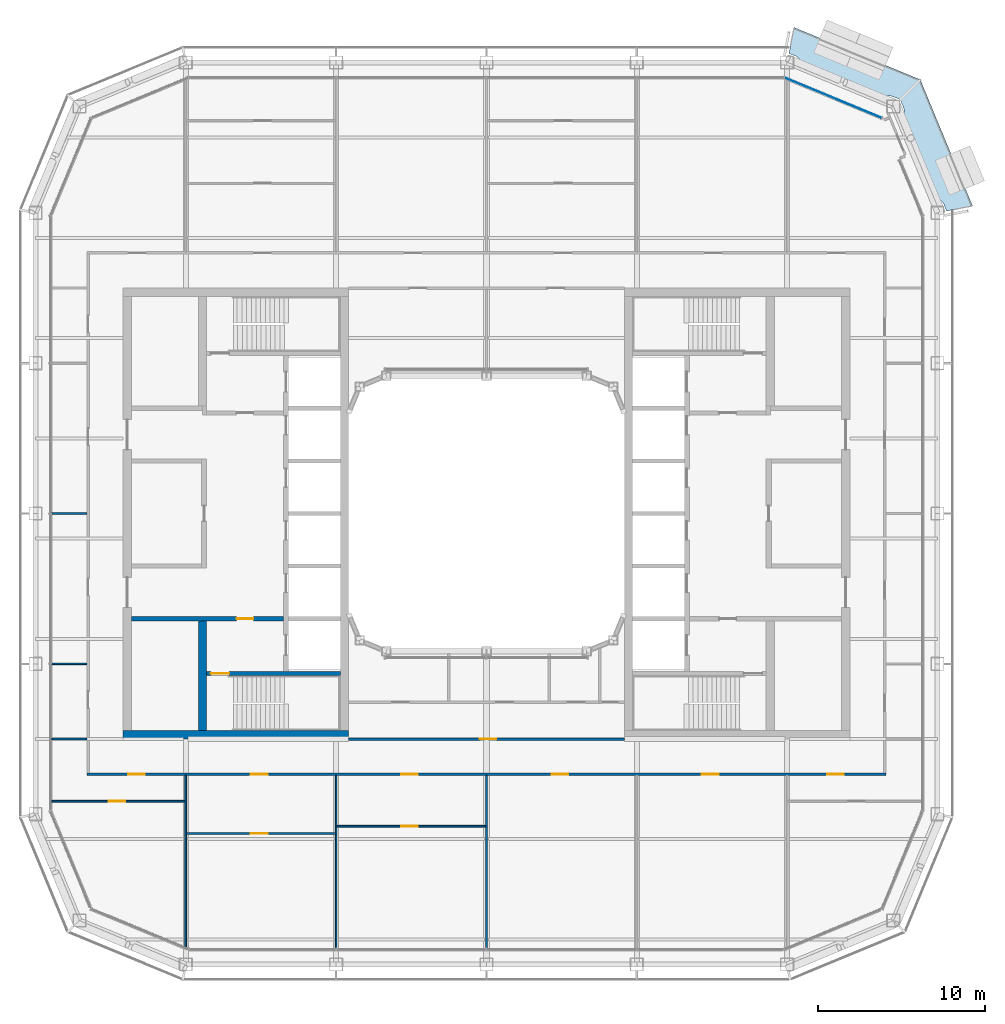
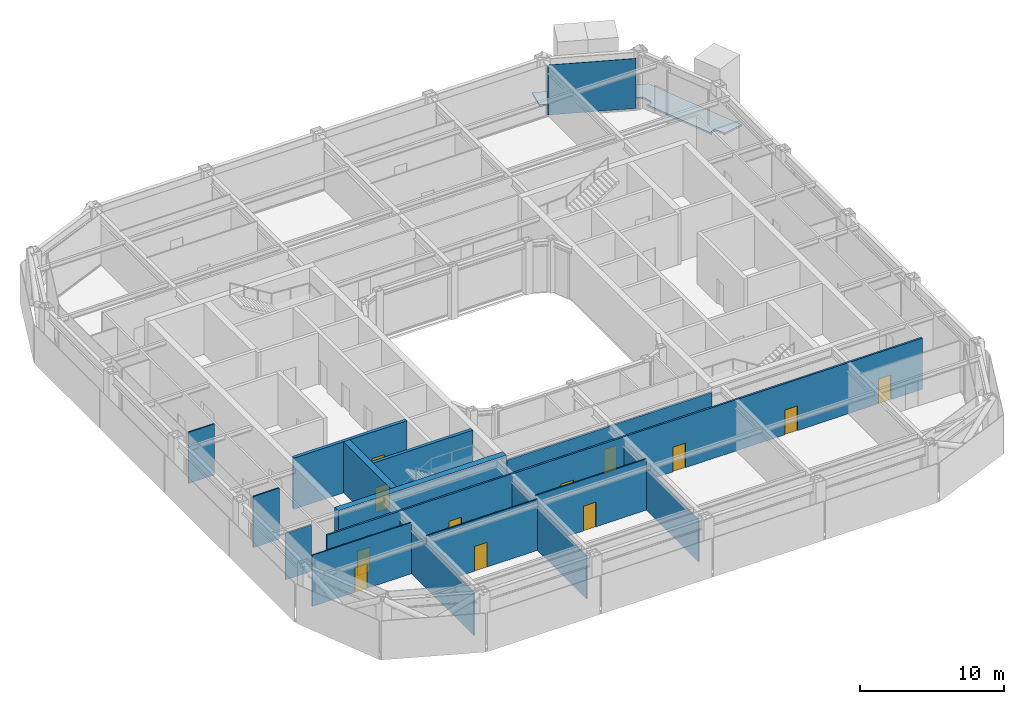
# One storey, part 12 of 23: 15 walls, 12 doors, 1 plate, 1 slab, 12 openings, 1 element without a shape of its own.
"""IFC4 building model written with IfcOpenShell, lengths in metres."""

from ifc_helpers import new_model, si_unit, direction, frame, frame_2d, origin, origin_2d, place, context, subcontext, project, spatial, polyline, rectangle, outline, extrude, material, layer, layer_set, type_object, element, fill, aggregate, save


model = new_model("IFC4")

# Units and contexts
model_context = context("Model", 3, precision=1e-05, world=origin(), true_north=direction((0.0, 1.0)))
body_context = subcontext(model_context, "Body", "Model", "MODEL_VIEW")
ifc_project = project(units=[si_unit("LENGTHUNIT", "METRE"), si_unit("AREAUNIT", "SQUARE_METRE"), si_unit("VOLUMEUNIT", "CUBIC_METRE"), si_unit("PLANEANGLEUNIT", "RADIAN"), si_unit("MASSUNIT", "GRAM", prefix="KILO")], contexts=[model_context])

# Site, building, storey
site_placement = place(None, origin())
site = spatial("IfcSite", under=ifc_project, at=site_placement, CompositionType="ELEMENT")
building_placement = place(site_placement, origin())
building = spatial("IfcBuilding", under=site, at=building_placement, Name="Siwar Civic Tower", CompositionType="ELEMENT")
storey_placement = place(building_placement, frame((0.0, 0.0, 242.199951171875)))
storey = spatial("IfcBuildingStorey", under=building, at=storey_placement, Name="L52", CompositionType="ELEMENT", Elevation=242.199951171875)

# Slab
ifc_material_1 = material(Name="Concrete C40/50", Category="concrete")
ifc_layer_1 = layer(ifc_material_1, 0.14990234375)
ifc_layer_set_1 = layer_set([ifc_layer_1], Name="Concrete C40/50")
slab_type = type_object("IfcSlabType", Name="ENV-BALCONY DECK 150", PredefinedType="FLOOR", material=ifc_layer_set_1)
slab_placement = place(storey_placement, frame((0.0, 0.0, -0.1494140625)))
element("IfcSlab", 1, at=slab_placement, inside=storey, type_object=slab_type, Name="Tree balcony deck NE", PredefinedType="FLOOR", context=body_context, shape_type="SweptSolid", body=[
    extrude(outline(polyline([(24.82080078125, 24.657470703125), (24.82080078125, 24.657470703125), (24.82421875, 24.649658203125), (24.924560546875, 24.40869140625), (24.94384765625, 24.362060546875), (24.94482421875, 24.35986328125), (24.96533203125, 24.305419921875), (24.967041015625, 24.300537109375), (24.98388671875, 24.244873046875), (24.985595703125, 24.238037109375), (24.99560546875, 24.189208984375), (24.99658203125, 24.183837890625), (25.002685546875, 24.13427734375), (25.003173828125, 24.12890625), (25.006103515625, 24.0791015625), (25.006103515625, 24.073974609375), (25.005615234375, 24.024169921875), (25.00537109375, 24.0185546875), (25.004638671875, 24.0126953125), (24.99755859375, 23.970947265625), (24.995849609375, 23.96337890625), (24.993408203125, 23.9560546875), (24.98046875, 23.922607421875), (24.978271484375, 23.91748046875), (24.962646484375, 23.88525390625), (24.96044921875, 23.880615234375), (24.942626953125, 23.849365234375), (24.93896484375, 23.84326171875), (24.9345703125, 23.837646484375), (24.9296875, 23.83251953125), (24.906982421875, 23.810546875), (24.900634765625, 23.804931640625), (24.8935546875, 23.80029296875), (24.885986328125, 23.796142578125), (24.85888671875, 23.78369140625), (24.85400390625, 23.78173828125), (24.826171875, 23.771240234375), (24.818115234375, 23.768798828125), (24.8095703125, 23.76708984375), (24.80126953125, 23.7666015625), (24.769775390625, 23.765869140625), (24.762451171875, 23.76611328125), (24.75537109375, 23.766845703125), (24.74853515625, 23.7685546875), (24.7138671875, 23.77783203125), (24.708984375, 23.779541015625), (24.675048828125, 23.791259765625), (24.669921875, 23.793212890625), (24.636962890625, 23.8076171875), (24.630126953125, 23.81103515625), (24.62353515625, 23.815185546875), (24.5888671875, 23.839599609375), (24.58447265625, 23.84326171875), (24.580078125, 23.846923828125), (24.57666015625, 23.85009765625), (26.77978515625, 18.531494140625), (26.7802734375, 18.5654296875), (26.780517578125, 18.5712890625), (26.78125, 18.576904296875), (26.788330078125, 18.61865234375), (26.789794921875, 18.626220703125), (26.792236328125, 18.633544921875), (26.805419921875, 18.6669921875), (26.8076171875, 18.672119140625), (26.822998046875, 18.70458984375), (26.825439453125, 18.709228515625), (26.84326171875, 18.740234375), (26.846923828125, 18.746337890625), (26.851318359375, 18.751953125), (26.856201171875, 18.75732421875), (26.87890625, 18.779052734375), (26.88525390625, 18.78466796875), (26.892333984375, 18.78955078125), (26.899658203125, 18.79345703125), (26.927001953125, 18.805908203125), (26.931884765625, 18.80810546875), (26.959716796875, 18.818603515625), (26.9677734375, 18.821044921875), (26.97607421875, 18.82275390625), (26.984619140625, 18.8232421875), (27.01611328125, 18.823974609375), (27.023193359375, 18.82373046875), (27.0302734375, 18.82275390625), (27.037353515625, 18.8212890625), (27.072021484375, 18.811767578125), (27.076904296875, 18.810302734375), (27.11083984375, 18.79833984375), (27.115966796875, 18.79638671875), (27.14892578125, 18.7822265625), (27.15576171875, 18.77880859375), (27.162353515625, 18.774658203125), (27.197021484375, 18.75), (27.201416015625, 18.74658203125), (27.205810546875, 18.74267578125), (27.241455078125, 18.7080078125), (27.2451171875, 18.704345703125), (27.278564453125, 18.667236328125), (27.281982421875, 18.663330078125), (27.312744140625, 18.623779296875), (27.31591796875, 18.619384765625), (27.343505859375, 18.577880859375), (27.34716796875, 18.57177734375), (27.374755859375, 18.520751953125), (27.377197265625, 18.51611328125), (27.4013671875, 18.463134765625), (27.40234375, 18.4609375), (27.405517578125, 18.453125), (27.425048828125, 18.406494140625), (27.522216796875, 18.17333984375), (27.525390625, 18.16552734375), (27.525390625, 18.16552734375), (27.52783203125, 18.15869140625), (27.533935546875, 18.13916015625), (27.53564453125, 18.13232421875), (27.53662109375, 18.12548828125), (27.538818359375, 18.107177734375), (29.10009765625, 18.417724609375), (25.97119140625, 25.97119140625), (18.417724609375, 29.10009765625), (18.106689453125, 27.5361328125), (18.107421875, 27.5361328125), (18.1240234375, 27.535400390625), (18.1328125, 27.53466796875), (18.141357421875, 27.53271484375), (18.156982421875, 27.5283203125), (18.16552734375, 27.525390625), (18.170166015625, 27.5234375), (18.17333984375, 27.522216796875), (18.18896484375, 27.515625), (18.227783203125, 27.49951171875), (18.240234375, 27.494140625), (18.406494140625, 27.425048828125), (18.453125, 27.405517578125), (18.4609375, 27.40234375), (18.463134765625, 27.4013671875), (18.51611328125, 27.377197265625), (18.520751953125, 27.374755859375), (18.57177734375, 27.34716796875), (18.577880859375, 27.343505859375), (18.619384765625, 27.31591796875), (18.623779296875, 27.312744140625), (18.663330078125, 27.281982421875), (18.667236328125, 27.278564453125), (18.704345703125, 27.2451171875), (18.7080078125, 27.241455078125), (18.74267578125, 27.205810546875), (18.74658203125, 27.201416015625), (18.75, 27.197021484375), (18.774658203125, 27.162353515625), (18.77880859375, 27.15576171875), (18.7822265625, 27.14892578125), (18.79638671875, 27.115966796875), (18.79833984375, 27.11083984375), (18.810302734375, 27.076904296875), (18.811767578125, 27.072021484375), (18.8212890625, 27.037353515625), (18.82275390625, 27.0302734375), (18.82373046875, 27.023193359375), (18.823974609375, 27.01611328125), (18.8232421875, 26.984619140625), (18.82275390625, 26.97607421875), (18.821044921875, 26.9677734375), (18.818603515625, 26.959716796875), (18.80810546875, 26.931884765625), (18.805908203125, 26.927001953125), (18.79345703125, 26.899658203125), (18.78955078125, 26.892333984375), (18.78466796875, 26.88525390625), (18.779052734375, 26.87890625), (18.75732421875, 26.856201171875), (18.751953125, 26.851318359375), (18.746337890625, 26.846923828125), (18.740234375, 26.84326171875), (18.709228515625, 26.825439453125), (18.70458984375, 26.822998046875), (18.672119140625, 26.8076171875), (18.6669921875, 26.805419921875), (18.633544921875, 26.792236328125), (18.626220703125, 26.789794921875), (18.61865234375, 26.788330078125), (18.576904296875, 26.78125), (18.5712890625, 26.780517578125), (18.5654296875, 26.7802734375), (18.531494140625, 26.77978515625), (23.85009765625, 24.57666015625), (23.846923828125, 24.580078125), (23.84326171875, 24.58447265625), (23.839599609375, 24.5888671875), (23.815185546875, 24.62353515625), (23.81103515625, 24.630126953125), (23.8076171875, 24.636962890625), (23.793212890625, 24.669921875), (23.791259765625, 24.675048828125), (23.779541015625, 24.708984375), (23.77783203125, 24.7138671875), (23.7685546875, 24.74853515625), (23.766845703125, 24.75537109375), (23.76611328125, 24.762451171875), (23.765869140625, 24.769775390625), (23.7666015625, 24.80126953125), (23.76708984375, 24.8095703125), (23.768798828125, 24.818115234375), (23.771240234375, 24.826171875), (23.78173828125, 24.85400390625), (23.78369140625, 24.85888671875), (23.796142578125, 24.885986328125), (23.80029296875, 24.8935546875), (23.804931640625, 24.900634765625), (23.810546875, 24.906982421875), (23.83251953125, 24.9296875), (23.837646484375, 24.9345703125), (23.84326171875, 24.93896484375), (23.849365234375, 24.942626953125), (23.880615234375, 24.96044921875), (23.88525390625, 24.962646484375), (23.91748046875, 24.978271484375), (23.922607421875, 24.98046875), (23.9560546875, 24.993408203125), (23.96337890625, 24.995849609375), (23.970947265625, 24.99755859375), (24.0126953125, 25.004638671875), (24.0185546875, 25.00537109375), (24.024169921875, 25.005615234375), (24.073974609375, 25.006103515625), (24.0791015625, 25.006103515625), (24.12890625, 25.003173828125), (24.13427734375, 25.002685546875), (24.183837890625, 24.99658203125), (24.189208984375, 24.99560546875), (24.238037109375, 24.985595703125), (24.244873046875, 24.98388671875), (24.300537109375, 24.967041015625), (24.305419921875, 24.96533203125), (24.35986328125, 24.94482421875), (24.362060546875, 24.94384765625), (24.40869140625, 24.924560546875), (24.649658203125, 24.82421875), (24.657470703125, 24.82080078125), (24.66552734375, 24.81689453125), (24.6796875, 24.808837890625), (24.68701171875, 24.80419921875), (24.693603515625, 24.798583984375), (24.7060546875, 24.787109375), (24.71142578125, 24.78173828125), (24.71142578125, 24.78173828125), (24.71142578125, 24.781494140625), (24.712158203125, 24.78076171875), (24.718505859375, 24.77783203125), (24.724853515625, 24.774169921875), (24.730712890625, 24.77001953125), (24.73828125, 24.763916015625), (24.763916015625, 24.763916015625), (24.763916015625, 24.741455078125), (24.778564453125, 24.72607421875), (24.785400390625, 24.7177734375), (24.801025390625, 24.695556640625), (24.806640625, 24.686279296875), (24.818603515625, 24.662353515625), (24.82080078125, 24.657470703125), (24.82080078125, 24.657470703125), (24.82080078125, 24.657470703125), (24.82080078125, 24.657470703125)])), origin(), (0.0, 0.0, 1.0), 0.1494140625),
])

# Curtain wall, plate
ifc_material_2 = material(Name="Aluminium clad insulated panel", Category="aluminium")
ifc_layer_2 = layer(ifc_material_2, 0.179931640625)
ifc_layer_set_2 = layer_set([ifc_layer_2], Name="Aluminium clad insulated panel")
curtain_wall_type = type_object("IfcCurtainWallType", Name="ENV-CW-CX", PredefinedType="NOTDEFINED", material=ifc_layer_set_2)
curtain_wall_placement = place(storey_placement, origin())
curtain_wall = element("IfcCurtainWall", 2, at=curtain_wall_placement, inside=storey, type_object=curtain_wall_type, Name="Curtain wall C NE2", PredefinedType="NOTDEFINED")
ifc_material_3 = material(Name="Aluminium clad insulated panel", Category="aluminium")
ifc_layer_3 = layer(ifc_material_3, 0.031982421875)
ifc_layer_set_3 = layer_set([ifc_layer_3], Name="Aluminium clad insulated panel")
plate_type = type_object("IfcPlateType", Name="ENV-PANEL-CX", PredefinedType="CURTAIN_PANEL", material=ifc_layer_set_3)
plate_placement = place(storey_placement, frame((20.78271484375, 24.873291015625, 0.10009765625), z_axis=(0.0, 0.0, 1.0), x_axis=(-0.923879532511, 0.382683432365, 0.0)))
plate = element("IfcPlate", 3, at=plate_placement, type_object=plate_type, Name="Curtain panel C NE2 1", PredefinedType="CURTAIN_PANEL", context=body_context, shape_type="SweptSolid", body=[
    extrude(rectangle(XDim=6.20166015625, YDim=0.031982421875, at=origin_2d()), origin(), (0.0, 0.0, 1.0), 4.25),
])
aggregate(curtain_wall, [plate])

# Wall, opening, door
ifc_material_4 = material(Name="Concrete C60/75", Category="concrete")
ifc_layer_4 = layer(ifc_material_4, 0.25)
ifc_layer_set_4 = layer_set([ifc_layer_4], Name="Concrete C60/75")
wall_type_1 = type_object("IfcWallType", Name="CORE-WALL-RC250", PredefinedType="SHEAR", material=ifc_layer_set_4)
wall_1_placement = place(storey_placement, frame((-12.14990234375, -6.300048828125, 0.0), z_axis=(0.0, 0.0, 1.0), x_axis=(-1.0, 0.0, 0.0)))
wall_1 = element("IfcWall", 4, at=wall_1_placement, inside=storey, type_object=wall_type_1, Name="Core wall W", PredefinedType="SHEAR", context=body_context, shape_type="SweptSolid", body=[
    extrude(rectangle(XDim=9.10009765625, YDim=0.25, at=frame_2d((4.550048828125, 0.0))), origin(), (0.0, 0.0, 1.0), 4.35009765625),
])
opening_1_placement = place(wall_1_placement, frame((1.800048828125, 0.0, 0.0)))
opening_1 = element("IfcOpeningElement", 5, at=opening_1_placement, cuts=wall_1, Name="Opening L52-CW02", PredefinedType="OPENING", context=body_context, shape_type="SweptSolid", body=[
    extrude(rectangle(XDim=1.0, YDim=2.10009765625, at=frame_2d((0.5, 1.050048828125))), frame((0.0, 0.135009765625, 0.0), z_axis=(0.0, -1.0, 0.0), x_axis=(1.0, 0.0, 0.0)), (0.0, 0.0, 1.0), 0.27001953125),
])
ifc_material_5 = material(Name="Steel door leaf", Category="steel")
door_type_1 = type_object("IfcDoorType", Name="CORE-DOOR-FD30S", OperationType="SINGLE_SWING_LEFT", PredefinedType="DOOR", material=ifc_material_5)
door_1_placement = place(opening_1_placement, origin())
door_1 = element("IfcDoor", 6, at=door_1_placement, inside=storey, type_object=door_type_1, Name="Service lobby door L52-CW02", OperationType="SINGLE_SWING_RIGHT", OverallHeight=2.10009765625, OverallWidth=1.0, PredefinedType="DOOR", context=body_context, shape_type="SweptSolid", body=[
    extrude(rectangle(XDim=1.0, YDim=2.10009765625, at=frame_2d((0.5, 1.050048828125))), frame((0.0, 0.02490234375, 0.0), z_axis=(0.0, -1.0, 0.0), x_axis=(1.0, 0.0, 0.0)), (0.0, 0.0, 1.0), 0.050048828125),
])
fill(opening_1, door_1)

wall_2_placement = place(storey_placement, frame((-8.75, -9.574951171875, 0.0), z_axis=(0.0, 0.0, 1.0), x_axis=(-1.0, 0.0, 0.0)))
wall_2 = element("IfcWall", 7, at=wall_2_placement, inside=storey, type_object=wall_type_1, Name="Core wall W", PredefinedType="SHEAR", context=body_context, shape_type="SweptSolid", body=[
    extrude(rectangle(XDim=8.0, YDim=0.25, at=frame_2d((4.0, 0.0))), origin(), (0.0, 0.0, 1.0), 4.35009765625),
])
opening_2_placement = place(wall_2_placement, frame((6.64990234375, 0.0, 0.0)))
opening_2 = element("IfcOpeningElement", 8, at=opening_2_placement, cuts=wall_2, Name="Opening L52-CW04", PredefinedType="OPENING", context=body_context, shape_type="SweptSolid", body=[
    extrude(rectangle(XDim=1.10009765625, YDim=2.10009765625, at=frame_2d((0.550048828125, 1.050048828125))), frame((0.0, 0.135009765625, 0.0), z_axis=(0.0, -1.0, 0.0), x_axis=(1.0, 0.0, 0.0)), (0.0, 0.0, 1.0), 0.27001953125),
])
ifc_material_6 = material(Name="Steel door leaf", Category="steel")
door_type_2 = type_object("IfcDoorType", Name="CORE-DOOR-FD60S", OperationType="SINGLE_SWING_LEFT", PredefinedType="DOOR", material=ifc_material_6)
door_2_placement = place(opening_2_placement, origin())
door_2 = element("IfcDoor", 9, at=door_2_placement, inside=storey, type_object=door_type_2, Name="Stair door L52-CW04", OperationType="SINGLE_SWING_LEFT", OverallHeight=2.10009765625, OverallWidth=1.10009765625, PredefinedType="DOOR", context=body_context, shape_type="SweptSolid", body=[
    extrude(rectangle(XDim=1.10009765625, YDim=2.10009765625, at=frame_2d((0.550048828125, 1.050048828125))), frame((0.0, 0.02490234375, 0.0), z_axis=(0.0, -1.0, 0.0), x_axis=(1.0, 0.0, 0.0)), (0.0, 0.0, 1.0), 0.050048828125),
])
fill(opening_2, door_2)

# Walls
ifc_material_7 = material(Name="Concrete C60/75", Category="concrete")
ifc_layer_5 = layer(ifc_material_7, 0.5)
ifc_layer_set_5 = layer_set([ifc_layer_5], Name="Concrete C60/75")
wall_type_2 = type_object("IfcWallType", Name="CORE-WALL-RC500", PredefinedType="SHEAR", material=ifc_layer_set_5)
wall_3_placement = place(storey_placement, frame((-17.0, -13.0, 0.0), z_axis=(0.0, 0.0, 1.0), x_axis=(0.0, 1.0, 0.0)))
element("IfcWall", 10, at=wall_3_placement, inside=storey, type_object=wall_type_2, Name="Core wall W", PredefinedType="SHEAR", context=body_context, shape_type="SweptSolid", body=[
    extrude(rectangle(XDim=6.574951171875, YDim=0.5, at=frame_2d((3.28759765625, 0.0))), origin(), (0.0, 0.0, 1.0), 4.35009765625),
])
wall_4_placement = place(storey_placement, frame((-8.25, -13.25, 0.0), z_axis=(0.0, 0.0, 1.0), x_axis=(-1.0, 0.0, 0.0)))
element("IfcWall", 11, at=wall_4_placement, inside=storey, type_object=wall_type_2, Name="Core wall W", PredefinedType="SHEAR", context=body_context, shape_type="SweptSolid", body=[
    extrude(rectangle(XDim=13.5, YDim=0.5, at=frame_2d((6.75, 0.0))), origin(), (0.0, 0.0, 1.0), 4.35009765625),
])

# Wall, openings, doors
ifc_material_8 = material(Name="Gypsum board on steel studs", Category="steel")
ifc_layer_6 = layer(ifc_material_8, 0.14990234375)
ifc_layer_set_6 = layer_set([ifc_layer_6], Name="Gypsum board on steel studs")
wall_type_3 = type_object("IfcWallType", Name="CORRIDOR PARTITION 150 EI 30", PredefinedType="PARTITIONING", material=ifc_layer_set_6)
wall_5_placement = place(storey_placement, frame((-23.925048828125, -15.60009765625, 0.0), z_axis=(0.0, 0.0, 1.0), x_axis=(1.0, 0.0, 0.0)))
wall_5 = element("IfcWall", 12, at=wall_5_placement, inside=storey, type_object=wall_type_3, Name="L52/wall/P05", PredefinedType="PARTITIONING", context=body_context, shape_type="SweptSolid", body=[
    extrude(rectangle(XDim=47.85009765625, YDim=0.14990234375, at=frame_2d((23.925048828125, 0.0))), origin(), (0.0, 0.0, 1.0), 4.35009765625),
])
opening_3_placement = place(wall_5_placement, frame((9.824951171875, 0.0, 0.0)))
opening_3 = element("IfcOpeningElement", 13, at=opening_3_placement, cuts=wall_5, Name="Opening D1", PredefinedType="OPENING", context=body_context, shape_type="SweptSolid", body=[
    extrude(rectangle(XDim=1.0, YDim=2.10009765625, at=frame_2d((0.5, 1.050048828125))), frame((0.0, 0.0849609375, 0.0), z_axis=(0.0, -1.0, 0.0), x_axis=(1.0, 0.0, 0.0)), (0.0, 0.0, 1.0), 0.169921875),
])
opening_4_placement = place(wall_5_placement, frame((18.824951171875, 0.0, 0.0)))
opening_4 = element("IfcOpeningElement", 14, at=opening_4_placement, cuts=wall_5, Name="Opening D1", PredefinedType="OPENING", context=body_context, shape_type="SweptSolid", body=[
    extrude(rectangle(XDim=1.0, YDim=2.10009765625, at=frame_2d((0.5, 1.050048828125))), frame((0.0, 0.0849609375, 0.0), z_axis=(0.0, -1.0, 0.0), x_axis=(1.0, 0.0, 0.0)), (0.0, 0.0, 1.0), 0.169921875),
])
opening_5_placement = place(wall_5_placement, frame((27.824951171875, 0.0, 0.0)))
opening_5 = element("IfcOpeningElement", 15, at=opening_5_placement, cuts=wall_5, Name="Opening D1", PredefinedType="OPENING", context=body_context, shape_type="SweptSolid", body=[
    extrude(rectangle(XDim=1.0, YDim=2.10009765625, at=frame_2d((0.5, 1.050048828125))), frame((0.0, 0.0849609375, 0.0), z_axis=(0.0, -1.0, 0.0), x_axis=(1.0, 0.0, 0.0)), (0.0, 0.0, 1.0), 0.169921875),
])
opening_6_placement = place(wall_5_placement, frame((36.824951171875, 0.0, 0.0)))
opening_6 = element("IfcOpeningElement", 16, at=opening_6_placement, cuts=wall_5, Name="Opening D1", PredefinedType="OPENING", context=body_context, shape_type="SweptSolid", body=[
    extrude(rectangle(XDim=1.0, YDim=2.10009765625, at=frame_2d((0.5, 1.050048828125))), frame((0.0, 0.0849609375, 0.0), z_axis=(0.0, -1.0, 0.0), x_axis=(1.0, 0.0, 0.0)), (0.0, 0.0, 1.0), 0.169921875),
])
opening_7_placement = place(wall_5_placement, frame((2.47509765625, 0.0, 0.0)))
opening_7 = element("IfcOpeningElement", 17, at=opening_7_placement, cuts=wall_5, Name="Opening D1", PredefinedType="OPENING", context=body_context, shape_type="SweptSolid", body=[
    extrude(rectangle(XDim=1.0, YDim=2.10009765625, at=frame_2d((0.5, 1.050048828125))), frame((0.0, 0.0849609375, 0.0), z_axis=(0.0, -1.0, 0.0), x_axis=(1.0, 0.0, 0.0)), (0.0, 0.0, 1.0), 0.169921875),
])
opening_8_placement = place(wall_5_placement, frame((44.324951171875, 0.0, 0.0)))
opening_8 = element("IfcOpeningElement", 18, at=opening_8_placement, cuts=wall_5, Name="Opening D1", PredefinedType="OPENING", context=body_context, shape_type="SweptSolid", body=[
    extrude(rectangle(XDim=1.0, YDim=2.10009765625, at=frame_2d((0.5, 1.050048828125))), frame((0.0, 0.0849609375, 0.0), z_axis=(0.0, -1.0, 0.0), x_axis=(1.0, 0.0, 0.0)), (0.0, 0.0, 1.0), 0.169921875),
])
ifc_material_9 = material(Name="Timber, painted", Category="wood")
door_type_3 = type_object("IfcDoorType", Name="DOOR 1000 X 2100 FD30", OperationType="SINGLE_SWING_LEFT", PredefinedType="DOOR", material=ifc_material_9)
door_3_placement = place(opening_3_placement, origin())
door_3 = element("IfcDoor", 19, at=door_3_placement, inside=storey, type_object=door_type_3, Name="L52-D09", OperationType="SINGLE_SWING_LEFT", OverallHeight=2.10009765625, OverallWidth=1.0, PredefinedType="DOOR", context=body_context, shape_type="SweptSolid", body=[
    extrude(rectangle(XDim=1.0, YDim=2.10009765625, at=frame_2d((0.5, 1.050048828125))), frame((0.0, 0.02490234375, 0.0), z_axis=(0.0, -1.0, 0.0), x_axis=(1.0, 0.0, 0.0)), (0.0, 0.0, 1.0), 0.050048828125),
])
fill(opening_3, door_3)
door_4_placement = place(opening_4_placement, origin())
door_4 = element("IfcDoor", 20, at=door_4_placement, inside=storey, type_object=door_type_3, Name="L52-D11", OperationType="SINGLE_SWING_LEFT", OverallHeight=2.10009765625, OverallWidth=1.0, PredefinedType="DOOR", context=body_context, shape_type="SweptSolid", body=[
    extrude(rectangle(XDim=1.0, YDim=2.10009765625, at=frame_2d((0.5, 1.050048828125))), frame((0.0, 0.02490234375, 0.0), z_axis=(0.0, -1.0, 0.0), x_axis=(1.0, 0.0, 0.0)), (0.0, 0.0, 1.0), 0.050048828125),
])
fill(opening_4, door_4)
door_5_placement = place(opening_5_placement, origin())
door_5 = element("IfcDoor", 21, at=door_5_placement, inside=storey, type_object=door_type_3, Name="L52-D13", OperationType="SINGLE_SWING_LEFT", OverallHeight=2.10009765625, OverallWidth=1.0, PredefinedType="DOOR", context=body_context, shape_type="SweptSolid", body=[
    extrude(rectangle(XDim=1.0, YDim=2.10009765625, at=frame_2d((0.5, 1.050048828125))), frame((0.0, 0.02490234375, 0.0), z_axis=(0.0, -1.0, 0.0), x_axis=(1.0, 0.0, 0.0)), (0.0, 0.0, 1.0), 0.050048828125),
])
fill(opening_5, door_5)
door_6_placement = place(opening_6_placement, origin())
door_6 = element("IfcDoor", 22, at=door_6_placement, inside=storey, type_object=door_type_3, Name="L52-D14", OperationType="SINGLE_SWING_RIGHT", OverallHeight=2.10009765625, OverallWidth=1.0, PredefinedType="DOOR", context=body_context, shape_type="SweptSolid", body=[
    extrude(rectangle(XDim=1.0, YDim=2.10009765625, at=frame_2d((0.5, 1.050048828125))), frame((0.0, 0.02490234375, 0.0), z_axis=(0.0, -1.0, 0.0), x_axis=(1.0, 0.0, 0.0)), (0.0, 0.0, 1.0), 0.050048828125),
])
fill(opening_6, door_6)
door_7_placement = place(opening_7_placement, origin())
door_7 = element("IfcDoor", 23, at=door_7_placement, inside=storey, type_object=door_type_3, Name="L52-D17", OperationType="SINGLE_SWING_LEFT", OverallHeight=2.10009765625, OverallWidth=1.0, PredefinedType="DOOR", context=body_context, shape_type="SweptSolid", body=[
    extrude(rectangle(XDim=1.0, YDim=2.10009765625, at=frame_2d((0.5, 1.050048828125))), frame((0.0, 0.02490234375, 0.0), z_axis=(0.0, -1.0, 0.0), x_axis=(1.0, 0.0, 0.0)), (0.0, 0.0, 1.0), 0.050048828125),
])
fill(opening_7, door_7)
door_8_placement = place(opening_8_placement, origin())
door_8 = element("IfcDoor", 24, at=door_8_placement, inside=storey, type_object=door_type_3, Name="L52-D19", OperationType="SINGLE_SWING_LEFT", OverallHeight=2.10009765625, OverallWidth=1.0, PredefinedType="DOOR", context=body_context, shape_type="SweptSolid", body=[
    extrude(rectangle(XDim=1.0, YDim=2.10009765625, at=frame_2d((0.5, 1.050048828125))), frame((0.0, 0.02490234375, 0.0), z_axis=(0.0, -1.0, 0.0), x_axis=(1.0, 0.0, 0.0)), (0.0, 0.0, 1.0), 0.050048828125),
])
fill(opening_8, door_8)

# Wall, opening, door
wall_6_placement = place(storey_placement, frame((-8.25, -13.5, 0.0), z_axis=(0.0, 0.0, 1.0), x_axis=(1.0, 0.0, 0.0)))
wall_6 = element("IfcWall", 25, at=wall_6_placement, inside=storey, type_object=wall_type_3, Name="L52/wall/P08", PredefinedType="PARTITIONING", context=body_context, shape_type="SweptSolid", body=[
    extrude(rectangle(XDim=16.5, YDim=0.14990234375, at=frame_2d((8.25, 0.0))), origin(), (0.0, 0.0, 1.0), 3.949951171875),
])
opening_9_placement = place(wall_6_placement, frame((7.85009765625, 0.0, 0.0)))
opening_9 = element("IfcOpeningElement", 26, at=opening_9_placement, cuts=wall_6, Name="Opening D1", PredefinedType="OPENING", context=body_context, shape_type="SweptSolid", body=[
    extrude(rectangle(XDim=1.0, YDim=2.10009765625, at=frame_2d((0.5, 1.050048828125))), frame((0.0, 0.0849609375, 0.0), z_axis=(0.0, -1.0, 0.0), x_axis=(1.0, 0.0, 0.0)), (0.0, 0.0, 1.0), 0.169921875),
])
door_9_placement = place(opening_9_placement, origin())
door_9 = element("IfcDoor", 27, at=door_9_placement, inside=storey, type_object=door_type_3, Name="L52-D31", OperationType="SINGLE_SWING_LEFT", OverallHeight=2.10009765625, OverallWidth=1.0, PredefinedType="DOOR", context=body_context, shape_type="SweptSolid", body=[
    extrude(rectangle(XDim=1.0, YDim=2.10009765625, at=frame_2d((0.5, 1.050048828125))), frame((0.0, 0.02490234375, 0.0), z_axis=(0.0, -1.0, 0.0), x_axis=(1.0, 0.0, 0.0)), (0.0, 0.0, 1.0), 0.050048828125),
])
fill(opening_9, door_9)

ifc_material_10 = material(Name="Gypsum board on steel studs", Category="steel")
ifc_layer_7 = layer(ifc_material_10, 0.10009765625)
ifc_layer_set_7 = layer_set([ifc_layer_7], Name="Gypsum board on steel studs")
wall_type_4 = type_object("IfcWallType", Name="PARTITION 100 GYPSUM", PredefinedType="PARTITIONING", material=ifc_layer_set_7)
wall_7_placement = place(storey_placement, frame((-17.949951171875, -19.159912109375, 0.0), z_axis=(0.0, 0.0, 1.0), x_axis=(1.0, 0.0, 0.0)))
wall_7 = element("IfcWall", 28, at=wall_7_placement, inside=storey, type_object=wall_type_4, Name="L52/wall/P01", PredefinedType="PARTITIONING", context=body_context, shape_type="SweptSolid", body=[
    extrude(rectangle(XDim=8.89990234375, YDim=0.10009765625, at=frame_2d((4.449951171875, 0.0))), origin(), (0.0, 0.0, 1.0), 4.35009765625),
])
opening_10_placement = place(wall_7_placement, frame((3.85009765625, 0.0, 0.0)))
opening_10 = element("IfcOpeningElement", 29, at=opening_10_placement, cuts=wall_7, Name="Opening D2", PredefinedType="OPENING", context=body_context, shape_type="SweptSolid", body=[
    extrude(rectangle(XDim=1.0, YDim=2.10009765625, at=frame_2d((0.5, 1.050048828125))), frame((0.0, 0.06005859375, 0.0), z_axis=(0.0, -1.0, 0.0), x_axis=(1.0, 0.0, 0.0)), (0.0, 0.0, 1.0), 0.1201171875),
])
ifc_material_11 = material(Name="Timber, painted", Category="wood")
door_type_4 = type_object("IfcDoorType", Name="DOOR 1000 X 2100", OperationType="SINGLE_SWING_LEFT", PredefinedType="DOOR", material=ifc_material_11)
door_10_placement = place(opening_10_placement, origin())
door_10 = element("IfcDoor", 30, at=door_10_placement, inside=storey, type_object=door_type_4, Name="L52-D10", OperationType="SINGLE_SWING_RIGHT", OverallHeight=2.10009765625, OverallWidth=1.0, PredefinedType="DOOR", context=body_context, shape_type="SweptSolid", body=[
    extrude(rectangle(XDim=1.0, YDim=2.10009765625, at=frame_2d((0.5, 1.050048828125))), frame((0.0, 0.02490234375, 0.0), z_axis=(0.0, -1.0, 0.0), x_axis=(1.0, 0.0, 0.0)), (0.0, 0.0, 1.0), 0.050048828125),
])
fill(opening_10, door_10)

wall_8_placement = place(storey_placement, frame((-8.949951171875, -18.722900390625, 0.0), z_axis=(0.0, 0.0, 1.0), x_axis=(1.0, 0.0, 0.0)))
wall_8 = element("IfcWall", 31, at=wall_8_placement, inside=storey, type_object=wall_type_4, Name="L52/wall/P02", PredefinedType="PARTITIONING", context=body_context, shape_type="SweptSolid", body=[
    extrude(rectangle(XDim=8.89990234375, YDim=0.10009765625, at=frame_2d((4.449951171875, 0.0))), origin(), (0.0, 0.0, 1.0), 4.35009765625),
])
opening_11_placement = place(wall_8_placement, frame((3.85009765625, 0.0, 0.0)))
opening_11 = element("IfcOpeningElement", 32, at=opening_11_placement, cuts=wall_8, Name="Opening D2", PredefinedType="OPENING", context=body_context, shape_type="SweptSolid", body=[
    extrude(rectangle(XDim=1.0, YDim=2.10009765625, at=frame_2d((0.5, 1.050048828125))), frame((0.0, 0.06005859375, 0.0), z_axis=(0.0, -1.0, 0.0), x_axis=(1.0, 0.0, 0.0)), (0.0, 0.0, 1.0), 0.1201171875),
])
door_11_placement = place(opening_11_placement, origin())
door_11 = element("IfcDoor", 33, at=door_11_placement, inside=storey, type_object=door_type_4, Name="L52-D12", OperationType="SINGLE_SWING_RIGHT", OverallHeight=2.10009765625, OverallWidth=1.0, PredefinedType="DOOR", context=body_context, shape_type="SweptSolid", body=[
    extrude(rectangle(XDim=1.0, YDim=2.10009765625, at=frame_2d((0.5, 1.050048828125))), frame((0.0, 0.02490234375, 0.0), z_axis=(0.0, -1.0, 0.0), x_axis=(1.0, 0.0, 0.0)), (0.0, 0.0, 1.0), 0.050048828125),
])
fill(opening_11, door_11)

wall_9_placement = place(storey_placement, frame((-26.010009765625, -17.22802734375, 0.0), z_axis=(0.0, 0.0, 1.0), x_axis=(1.0, 0.0, 0.0)))
wall_9 = element("IfcWall", 34, at=wall_9_placement, inside=storey, type_object=wall_type_4, Name="L52/wall/P03", PredefinedType="PARTITIONING", context=body_context, shape_type="SweptSolid", body=[
    extrude(rectangle(XDim=7.9599609375, YDim=0.10009765625, at=frame_2d((3.97998046875, 0.0))), origin(), (0.0, 0.0, 1.0), 4.35009765625),
])
opening_12_placement = place(wall_9_placement, frame((3.39990234375, 0.0, 0.0)))
opening_12 = element("IfcOpeningElement", 35, at=opening_12_placement, cuts=wall_9, Name="Opening D2", PredefinedType="OPENING", context=body_context, shape_type="SweptSolid", body=[
    extrude(rectangle(XDim=1.0, YDim=2.10009765625, at=frame_2d((0.5, 1.050048828125))), frame((0.0, 0.06005859375, 0.0), z_axis=(0.0, -1.0, 0.0), x_axis=(1.0, 0.0, 0.0)), (0.0, 0.0, 1.0), 0.1201171875),
])
door_12_placement = place(opening_12_placement, origin())
door_12 = element("IfcDoor", 36, at=door_12_placement, inside=storey, type_object=door_type_4, Name="L52-D18", OperationType="SINGLE_SWING_RIGHT", OverallHeight=2.10009765625, OverallWidth=1.0, PredefinedType="DOOR", context=body_context, shape_type="SweptSolid", body=[
    extrude(rectangle(XDim=1.0, YDim=2.10009765625, at=frame_2d((0.5, 1.050048828125))), frame((0.0, 0.02490234375, 0.0), z_axis=(0.0, -1.0, 0.0), x_axis=(1.0, 0.0, 0.0)), (0.0, 0.0, 1.0), 0.050048828125),
])
fill(opening_12, door_12)

# Walls
wall_10_placement = place(storey_placement, frame((-26.010009765625, -13.5, 0.0), z_axis=(0.0, 0.0, 1.0), x_axis=(1.0, 0.0, 0.0)))
element("IfcWall", 37, at=wall_10_placement, inside=storey, type_object=wall_type_4, Name="L52/wall/P06", PredefinedType="PARTITIONING", context=body_context, shape_type="SweptSolid", body=[
    extrude(rectangle(XDim=2.0849609375, YDim=0.10009765625, at=frame_2d((1.04248046875, 0.0))), origin(), (0.0, 0.0, 1.0), 3.949951171875),
])
for number, where, z_axis, x_axis, name in (
    (38, (-26.010009765625, -9.0, 0.0), (0.0, 0.0, 1.0), (1.0, 0.0, 0.0), "L52/wall/P11"),
    (39, (-26.010009765625, 0.0, 0.0), (0.0, 0.0, 1.0), (1.0, 0.0, 0.0), "L52/wall/P13"),
):
    element("IfcWall", number, at=place(storey_placement, frame(where, z_axis=z_axis, x_axis=x_axis)), inside=storey, type_object=wall_type_4, Name=name, PredefinedType="PARTITIONING", context=body_context, shape_type="SweptSolid", body=[
        extrude(rectangle(XDim=2.0849609375, YDim=0.10009765625, at=frame_2d((1.04248046875, 0.0))), origin(), (0.0, 0.0, 1.0), 4.35009765625),
    ])
wall_11_placement = place(storey_placement, frame((-18.0, -25.927978515625, 0.0), z_axis=(0.0, 0.0, 1.0), x_axis=(0.0, 1.0, 0.0)))
element("IfcWall", 40, at=wall_11_placement, inside=storey, type_object=wall_type_4, Name="L52/wall/P26", PredefinedType="PARTITIONING", context=body_context, shape_type="SweptSolid", body=[
    extrude(rectangle(XDim=10.2529296875, YDim=0.10009765625, at=frame_2d((5.12646484375, 0.0))), origin(), (0.0, 0.0, 1.0), 3.650146484375),
])
wall_12_placement = place(storey_placement, frame((-9.0, -26.010009765625, 0.0), z_axis=(0.0, 0.0, 1.0), x_axis=(0.0, 1.0, 0.0)))
element("IfcWall", 41, at=wall_12_placement, inside=storey, type_object=wall_type_4, Name="L52/wall/P28", PredefinedType="PARTITIONING", context=body_context, shape_type="SweptSolid", body=[
    extrude(rectangle(XDim=10.3349609375, YDim=0.10009765625, at=frame_2d((5.16748046875, 0.0))), origin(), (0.0, 0.0, 1.0), 3.650146484375),
])
wall_13_placement = place(storey_placement, frame((0.0, -26.010009765625, 0.0), z_axis=(0.0, 0.0, 1.0), x_axis=(0.0, 1.0, 0.0)))
element("IfcWall", 42, at=wall_13_placement, inside=storey, type_object=wall_type_4, Name="L52/wall/P31", PredefinedType="PARTITIONING", context=body_context, shape_type="SweptSolid", body=[
    extrude(rectangle(XDim=10.3349609375, YDim=0.10009765625, at=frame_2d((5.16748046875, 0.0))), origin(), (0.0, 0.0, 1.0), 3.550048828125),
])

save(model, "model.ifc")
